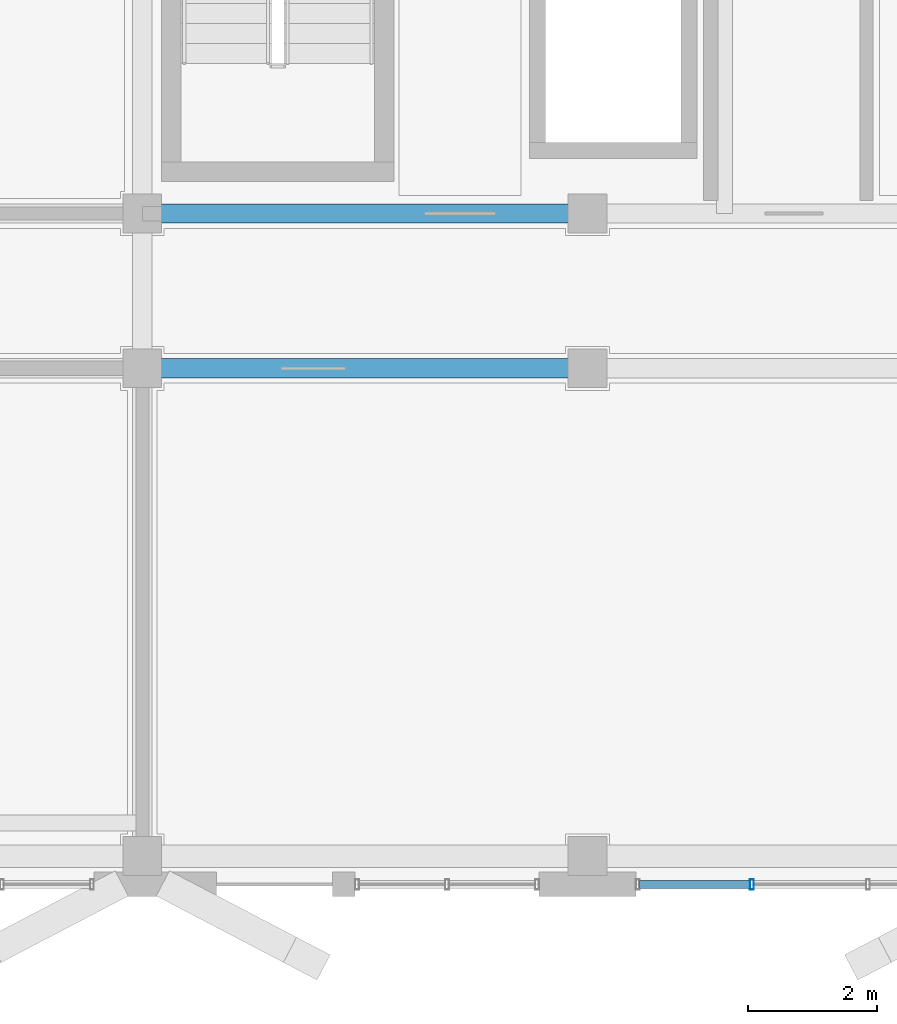
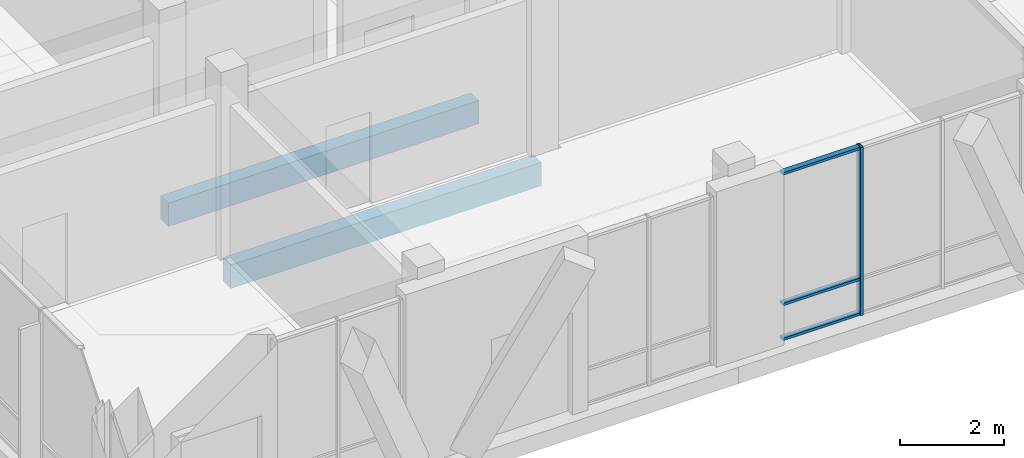
# One storey, part 23 of 233: 4 members, 2 beams, 1 element without a shape of its own.
"""IFC4 building model written with IfcOpenShell, lengths in metres."""

from ifc_helpers import new_model, si_unit, direction, frame, origin, origin_2d, place, context, subcontext, project, spatial, rectangle, hollow_rectangle, extrude, material, material_profile, profile_set, type_object, element, aggregate, save


model = new_model("IFC4")

# Units and contexts
model_context = context("Model", 3, precision=1e-05, world=origin(), true_north=direction((0.0, 1.0)))
body_context = subcontext(model_context, "Body", "Model", "MODEL_VIEW")
ifc_project = project(units=[si_unit("LENGTHUNIT", "METRE"), si_unit("AREAUNIT", "SQUARE_METRE"), si_unit("VOLUMEUNIT", "CUBIC_METRE"), si_unit("PLANEANGLEUNIT", "RADIAN"), si_unit("MASSUNIT", "GRAM", prefix="KILO")], contexts=[model_context])

# Site, building, storey
site_placement = place(None, origin())
site = spatial("IfcSite", under=ifc_project, at=site_placement, CompositionType="ELEMENT")
building_placement = place(site_placement, origin())
building = spatial("IfcBuilding", under=site, at=building_placement, Name="Zavelmont Quarter", CompositionType="ELEMENT")
storey_placement = place(building_placement, origin())
storey = spatial("IfcBuildingStorey", under=building, at=storey_placement, Name="L00", CompositionType="ELEMENT", Elevation=0.0)

# Beams
ifc_material_1 = material(Name="Concrete C35/45", Category="concrete")
ifc_material_profile_1 = material_profile(ifc_material_1, rectangle(XDim=0.300048828125, YDim=0.550048828125, at=origin_2d()), Name="RC300X550")
ifc_profile_set_1 = profile_set([ifc_material_profile_1], Name="Concrete C35/45")
beam_type = type_object("IfcBeamType", Name="BM02", PredefinedType="SPANDREL", material=ifc_profile_set_1)
for number, where, z_axis, x_axis, name in (
    (1, (6.89990234375, 8.0, -0.594970703125), (1.0, 0.0, 0.0), (0.0, 1.0, 0.0), "L00 beam BM02 2/B to 3/B"),
    (2, (6.89990234375, 10.39990234375, -0.594970703125), (1.0, 0.0, 0.0), (0.0, 1.0, 0.0), "L00 beam BM02 2/C to 3/C"),
):
    element("IfcBeam", number, at=place(storey_placement, frame(where, z_axis=z_axis, x_axis=x_axis)), inside=storey, type_object=beam_type, Name=name, PredefinedType="SPANDREL", context=body_context, shape_type="SweptSolid", body=[
        extrude(rectangle(XDim=0.300048828125, YDim=0.550048828125, at=origin_2d()), origin(), (0.0, 0.0, 1.0), 6.900146484375),
    ])

# Curtain wall, members
ifc_material_2 = material(Name="Thermally broken aluminium and double low-E safety glazing", Category="aluminium")
curtain_wall_type = type_object("IfcCurtainWallType", Name="CW-540X395", PredefinedType="NOTDEFINED", material=ifc_material_2)
curtain_wall_placement = place(storey_placement, origin())
curtain_wall = element("IfcCurtainWall", 3, at=curtain_wall_placement, inside=storey, type_object=curtain_wall_type, Name="L00 unitised curtain wall CW-540X395", PredefinedType="NOTDEFINED")
ifc_material_3 = material(Name="Powder-coated aluminium EN AW-6063-T6", Category="aluminium")
ifc_material_profile_2 = material_profile(ifc_material_3, hollow_rectangle(XDim=0.06005859375, YDim=0.159912109375, WallThickness=0.00390625, at=origin_2d()), Name="CWM60X160")
ifc_profile_set_2 = profile_set([ifc_material_profile_2], Name="Powder-coated aluminium EN AW-6063-T6")
member_type_1 = type_object("IfcMemberType", Name="CWM01", PredefinedType="MULLION", material=ifc_profile_set_2)
member_1_placement = place(storey_placement, frame((16.35009765625, 0.0, 0.0), z_axis=(0.0, 0.0, 1.0), x_axis=(1.0, 0.0, 0.0)))
member_1 = element("IfcMember", 4, at=member_1_placement, type_object=member_type_1, Name="CW-540X395 mullion 2", PredefinedType="MULLION", context=body_context, shape_type="SweptSolid", body=[
    extrude(hollow_rectangle(XDim=0.06005859375, YDim=0.159912109375, WallThickness=0.00390625, at=origin_2d()), origin(), (0.0, 0.0, 1.0), 3.949951171875),
])
ifc_material_profile_3 = material_profile(ifc_material_3, hollow_rectangle(XDim=0.1201171875, YDim=0.06005859375, WallThickness=0.00390625, at=origin_2d()), Name="CWT60X120")
ifc_profile_set_3 = profile_set([ifc_material_profile_3], Name="Powder-coated aluminium EN AW-6063-T6")
member_type_2 = type_object("IfcMemberType", Name="CWT01", PredefinedType="NOTDEFINED", material=ifc_profile_set_3)
member_2_placement = place(storey_placement, frame((14.610107421875, 0.0, 0.030029296875), z_axis=(1.0, 0.0, 0.0), x_axis=(0.0, 1.0, 0.0)))
member_2 = element("IfcMember", 5, at=member_2_placement, type_object=member_type_2, Name="CW-540X395 transom 1.1", ObjectType="TRANSOM", PredefinedType="USERDEFINED", context=body_context, shape_type="SweptSolid", body=[
    extrude(hollow_rectangle(XDim=0.1201171875, YDim=0.06005859375, WallThickness=0.00390625, at=origin_2d()), origin(), (0.0, 0.0, 1.0), 1.7099609375),
])
member_3_placement = place(storey_placement, frame((14.610107421875, 0.0, 0.85009765625), z_axis=(1.0, 0.0, 0.0), x_axis=(0.0, 1.0, 0.0)))
member_3 = element("IfcMember", 6, at=member_3_placement, type_object=member_type_2, Name="CW-540X395 transom 1.2", ObjectType="TRANSOM", PredefinedType="USERDEFINED", context=body_context, shape_type="SweptSolid", body=[
    extrude(hollow_rectangle(XDim=0.1201171875, YDim=0.06005859375, WallThickness=0.00390625, at=origin_2d()), origin(), (0.0, 0.0, 1.0), 1.7099609375),
])
member_4_placement = place(storey_placement, frame((14.610107421875, 0.0, 3.919921875), z_axis=(1.0, 0.0, 0.0), x_axis=(0.0, 1.0, 0.0)))
member_4 = element("IfcMember", 7, at=member_4_placement, type_object=member_type_2, Name="CW-540X395 transom 1.3", ObjectType="TRANSOM", PredefinedType="USERDEFINED", context=body_context, shape_type="SweptSolid", body=[
    extrude(hollow_rectangle(XDim=0.1201171875, YDim=0.06005859375, WallThickness=0.00390625, at=origin_2d()), origin(), (0.0, 0.0, 1.0), 1.7099609375),
])
aggregate(curtain_wall, [member_1, member_2, member_3, member_4])

save(model, "model.ifc")
